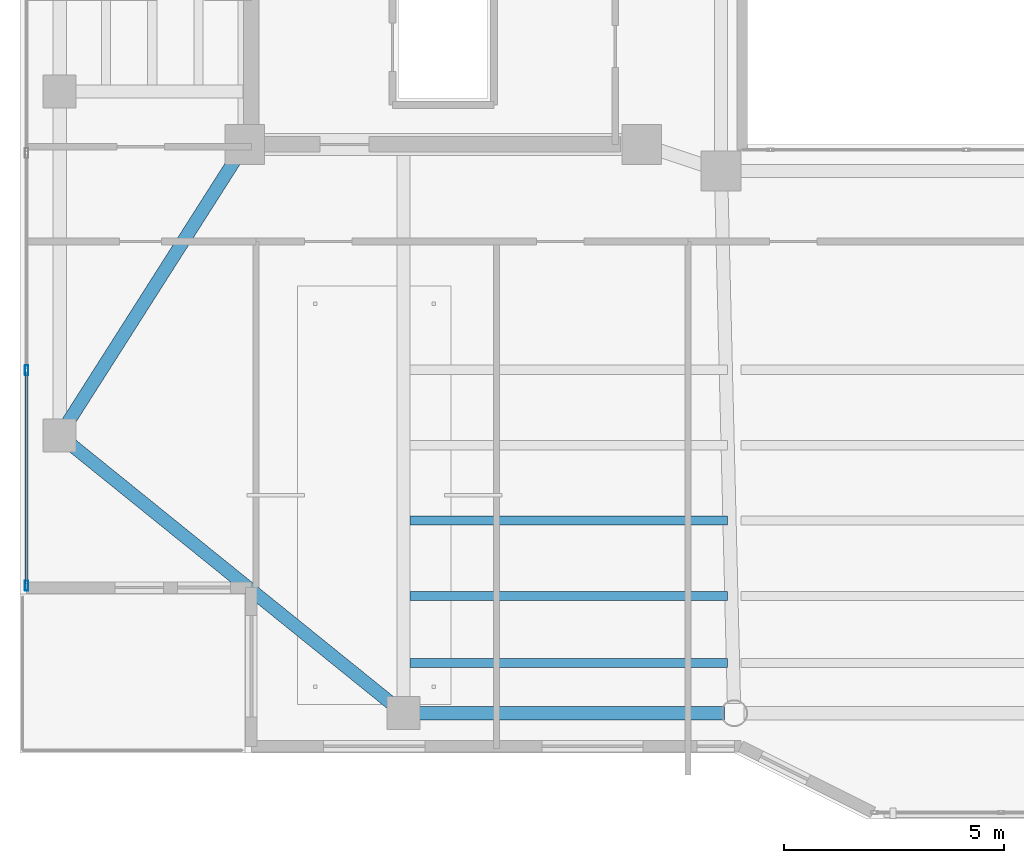
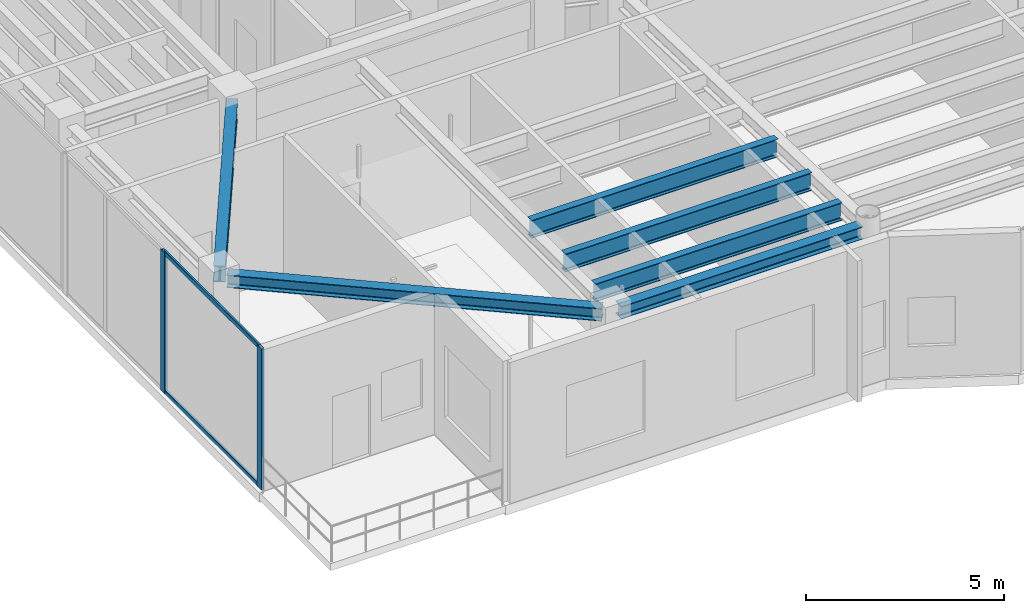
# One storey, part 2 of 34: 6 beams, 4 members, 1 element without a shape of its own.
"""IFC4 building model written with IfcOpenShell, lengths in metres."""

from ifc_helpers import new_model, si_unit, direction, frame, origin, origin_2d, place, context, subcontext, project, spatial, hollow_rectangle, i_section, extrude, material, layer, layer_set, material_profile, profile_set, type_object, element, aggregate, save


model = new_model("IFC4")

# Units and contexts
model_context = context("Model", 3, precision=1e-05, world=origin(), true_north=direction((0.0, 1.0)))
body_context = subcontext(model_context, "Body", "Model", "MODEL_VIEW")
ifc_project = project(units=[si_unit("LENGTHUNIT", "METRE"), si_unit("AREAUNIT", "SQUARE_METRE"), si_unit("VOLUMEUNIT", "CUBIC_METRE"), si_unit("PLANEANGLEUNIT", "RADIAN"), si_unit("MASSUNIT", "GRAM", prefix="KILO")], contexts=[model_context])

# Site, building, storey
site_placement = place(None, origin())
site = spatial("IfcSite", under=ifc_project, at=site_placement, CompositionType="ELEMENT")
building_placement = place(site_placement, origin())
building = spatial("IfcBuilding", under=site, at=building_placement, Name="Tarnavaz Court Tower", CompositionType="ELEMENT")
storey_placement = place(building_placement, frame((0.0, 0.0, 231.75)))
storey = spatial("IfcBuildingStorey", under=building, at=storey_placement, Name="L63", CompositionType="ELEMENT", Elevation=231.75)

# Beams
ifc_material_1 = material(Name="Steel S355", Category="steel")
ifc_material_profile_1 = material_profile(ifc_material_1, i_section(OverallWidth=0.300048828125, OverallDepth=0.5, WebThickness=0.014404296875, FlangeThickness=0.028076171875, FilletRadius=0.027099609375, at=origin_2d()), Name="HEB 500")
ifc_profile_set_1 = profile_set([ifc_material_profile_1], Name="Steel S355")
beam_type_1 = type_object("IfcBeamType", Name="BM-G-HEB500", PredefinedType="USERDEFINED", material=ifc_profile_set_1)
beam_1_placement = place(storey_placement, frame((-18.718017578125, -7.385498046875, 4.10009765625), z_axis=(-0.536871212964, -0.843664210863, 0.0), x_axis=(0.843664210863, -0.536871212964, 0.0)))
element("IfcBeam", 1, at=beam_1_placement, inside=storey, type_object=beam_type_1, Name="L63 Beam RG-15", ObjectType="GIRDER", PredefinedType="USERDEFINED", context=body_context, shape_type="SweptSolid", body=[
    extrude(i_section(OverallWidth=0.300048828125, OverallDepth=0.5, WebThickness=0.014404296875, FlangeThickness=0.028076171875, FilletRadius=0.027099609375, at=origin_2d()), origin(), (0.0, 0.0, 1.0), 7.38330078125),
])
ifc_material_profile_2 = material_profile(ifc_material_1, i_section(OverallWidth=0.2099609375, OverallDepth=0.550048828125, WebThickness=0.010986328125, FlangeThickness=0.01708984375, FilletRadius=0.02392578125, at=origin_2d()), Name="IPE 550")
ifc_profile_set_2 = profile_set([ifc_material_profile_2], Name="Steel S355")
beam_type_2 = type_object("IfcBeamType", Name="BM-J-IPE550", PredefinedType="JOIST", material=ifc_profile_set_2)
for number, where, z_axis, x_axis, name in (
    (2, (-14.85009765625, -15.72998046875, 4.074951171875), (1.0, 0.0, 0.0), (0.0, 1.0, 0.0), "L63 Beam JS3-1"),
    (3, (-14.85009765625, -17.43994140625, 4.074951171875), (1.0, 0.0, 0.0), (0.0, 1.0, 0.0), "L63 Beam JS4-1"),
    (4, (-14.85009765625, -18.9599609375, 4.074951171875), (1.0, 0.0, 0.0), (0.0, 1.0, 0.0), "L63 Beam JS5-1"),
):
    element("IfcBeam", number, at=place(storey_placement, frame(where, z_axis=z_axis, x_axis=x_axis)), inside=storey, type_object=beam_type_2, Name=name, PredefinedType="JOIST", context=body_context, shape_type="SweptSolid", body=[
        extrude(i_section(OverallWidth=0.2099609375, OverallDepth=0.550048828125, WebThickness=0.010986328125, FlangeThickness=0.01708984375, FilletRadius=0.02392578125, at=origin_2d()), origin(), (0.0, 0.0, 1.0), 7.2001953125),
    ])
ifc_material_profile_3 = material_profile(ifc_material_1, i_section(OverallWidth=0.300048828125, OverallDepth=0.389892578125, WebThickness=0.010986328125, FlangeThickness=0.01904296875, FilletRadius=0.027099609375, at=origin_2d()), Name="HEA 400")
ifc_profile_set_3 = profile_set([ifc_material_profile_3], Name="Steel S355")
beam_type_3 = type_object("IfcBeamType", Name="BM-SP-HEA400", PredefinedType="BEAM", material=ifc_profile_set_3)
beam_2_placement = place(storey_placement, frame((-14.780029296875, -20.10009765625, 4.155029296875), z_axis=(1.0, 0.0, 0.0), x_axis=(0.0, 1.0, 0.0)))
element("IfcBeam", 5, at=beam_2_placement, inside=storey, type_object=beam_type_3, Name="L63 Beam PR-PS-1-PS-2", PredefinedType="BEAM", context=body_context, shape_type="SweptSolid", body=[
    extrude(i_section(OverallWidth=0.300048828125, OverallDepth=0.389892578125, WebThickness=0.010986328125, FlangeThickness=0.01904296875, FilletRadius=0.027099609375, at=origin_2d()), origin(), (0.0, 0.0, 1.0), 7.06005859375),
])
beam_3_placement = place(storey_placement, frame((-15.171142578125, -19.9619140625, 4.155029296875), z_axis=(-0.777935913531, 0.628343627674, 0.0), x_axis=(-0.628343627674, -0.777935913531, 0.0)))
element("IfcBeam", 6, at=beam_3_placement, inside=storey, type_object=beam_type_3, Name="L63 Beam PR-PS-1-PW-1", PredefinedType="BEAM", context=body_context, shape_type="SweptSolid", body=[
    extrude(i_section(OverallWidth=0.300048828125, OverallDepth=0.389892578125, WebThickness=0.010986328125, FlangeThickness=0.01904296875, FilletRadius=0.027099609375, at=origin_2d()), origin(), (0.0, 0.0, 1.0), 9.586669921875),
])

# Curtain wall, members
ifc_material_2 = material(Name="Anodised Aluminium 6063-T6 and Solar Low-E Glazing", Category="aluminium")
ifc_layer = layer(ifc_material_2, 0.199951171875)
ifc_layer_set = layer_set([ifc_layer], Name="Anodised Aluminium 6063-T6 and Solar Low-E Glazing")
curtain_wall_type = type_object("IfcCurtainWallType", Name="CW-SYS-05", PredefinedType="NOTDEFINED", material=ifc_layer_set)
curtain_wall_placement = place(storey_placement, origin())
curtain_wall = element("IfcCurtainWall", 7, at=curtain_wall_placement, inside=storey, type_object=curtain_wall_type, Name="L63 Sky-Portal Curtain Wall 2", PredefinedType="NOTDEFINED")
ifc_material_3 = material(Name="Anodised Aluminium 6063-T6", Category="aluminium")
ifc_material_profile_4 = material_profile(ifc_material_3, hollow_rectangle(XDim=0.0849609375, YDim=0.219970703125, WallThickness=0.006103515625, InnerFilletRadius=0.006103515625, OuterFilletRadius=0.011962890625, at=origin_2d()), Name="ALU RHS 220X85X6")
ifc_profile_set_4 = profile_set([ifc_material_profile_4], Name="Anodised Aluminium 6063-T6")
member_type_1 = type_object("IfcMemberType", Name="CW-MUL-220", PredefinedType="MULLION", material=ifc_profile_set_4)
member_1_placement = place(storey_placement, frame((-23.550048828125, -17.20751953125, 0.0), z_axis=(0.0, 0.0, 1.0), x_axis=(-1.0, 0.0, 0.0)))
member_1 = element("IfcMember", 8, at=member_1_placement, type_object=member_type_1, Name="CW mullion 1", PredefinedType="MULLION", context=body_context, shape_type="SweptSolid", body=[
    extrude(hollow_rectangle(XDim=0.0849609375, YDim=0.219970703125, WallThickness=0.006103515625, InnerFilletRadius=0.006103515625, OuterFilletRadius=0.011962890625, at=origin_2d()), origin(), (0.0, 0.0, 1.0), 4.35009765625),
])
member_2_placement = place(storey_placement, frame((-23.550048828125, -12.321533203125, 0.0), z_axis=(0.0, 0.0, 1.0), x_axis=(-1.0, 0.0, 0.0)))
member_2 = element("IfcMember", 9, at=member_2_placement, type_object=member_type_1, Name="CW mullion 2", PredefinedType="MULLION", context=body_context, shape_type="SweptSolid", body=[
    extrude(hollow_rectangle(XDim=0.0849609375, YDim=0.219970703125, WallThickness=0.006103515625, InnerFilletRadius=0.006103515625, OuterFilletRadius=0.011962890625, at=origin_2d()), origin(), (0.0, 0.0, 1.0), 4.35009765625),
])
ifc_material_profile_5 = material_profile(ifc_material_3, hollow_rectangle(XDim=0.06494140625, YDim=0.139892578125, WallThickness=0.00390625, InnerFilletRadius=0.00390625, OuterFilletRadius=0.008056640625, at=origin_2d()), Name="ALU RHS 140X65X4")
ifc_profile_set_5 = profile_set([ifc_material_profile_5], Name="Anodised Aluminium 6063-T6")
member_type_2 = type_object("IfcMemberType", Name="CW-TRN-140", PredefinedType="USERDEFINED", material=ifc_profile_set_5)
member_3_placement = place(storey_placement, frame((-23.550048828125, -17.1650390625, 0.032470703125), z_axis=(0.0, 1.0, 0.0), x_axis=(-1.0, 0.0, 0.0)))
member_3 = element("IfcMember", 10, at=member_3_placement, type_object=member_type_2, Name="CW transom 1.1", ObjectType="TRANSOM", PredefinedType="USERDEFINED", context=body_context, shape_type="SweptSolid", body=[
    extrude(hollow_rectangle(XDim=0.06494140625, YDim=0.139892578125, WallThickness=0.00390625, InnerFilletRadius=0.00390625, OuterFilletRadius=0.008056640625, at=origin_2d()), origin(), (0.0, 0.0, 1.0), 4.801025390625),
])
member_4_placement = place(storey_placement, frame((-23.550048828125, -17.1650390625, 4.3173828125), z_axis=(0.0, 1.0, 0.0), x_axis=(-1.0, 0.0, 0.0)))
member_4 = element("IfcMember", 11, at=member_4_placement, type_object=member_type_2, Name="CW transom 1.2", ObjectType="TRANSOM", PredefinedType="USERDEFINED", context=body_context, shape_type="SweptSolid", body=[
    extrude(hollow_rectangle(XDim=0.06494140625, YDim=0.139892578125, WallThickness=0.00390625, InnerFilletRadius=0.00390625, OuterFilletRadius=0.008056640625, at=origin_2d()), origin(), (0.0, 0.0, 1.0), 4.801025390625),
])
aggregate(curtain_wall, [member_1, member_2, member_3, member_4])

save(model, "model.ifc")
